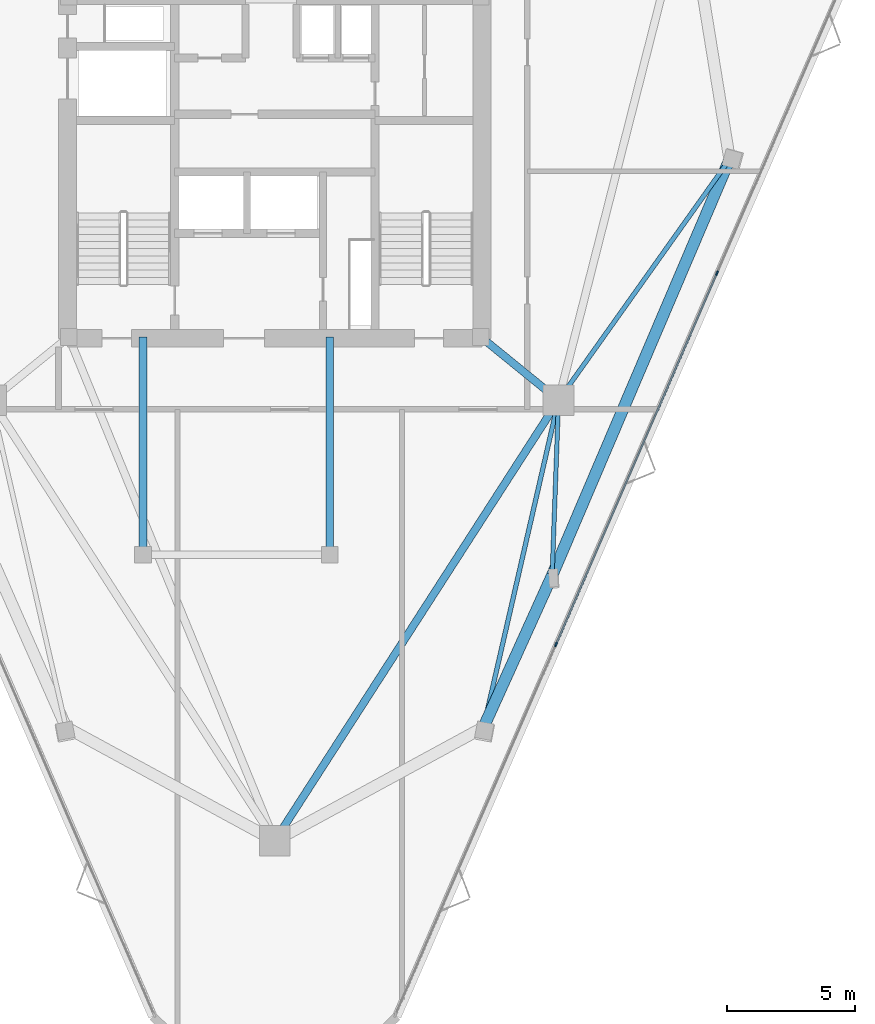
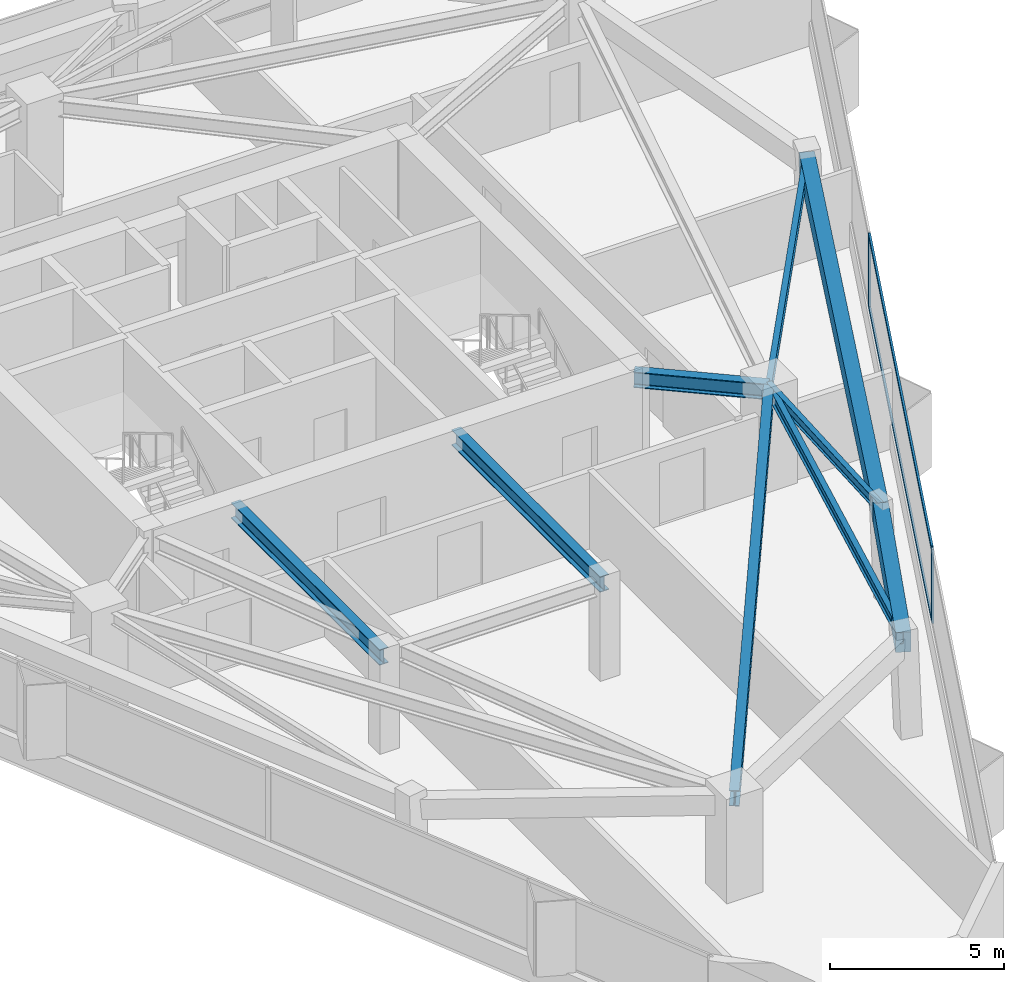
# One storey, part 4 of 11: 9 beams, 4 members, 1 element without a shape of its own.
"""IFC4 building model written with IfcOpenShell, lengths in metres."""

from ifc_helpers import new_model, si_unit, direction, frame, origin, origin_2d, place, context, subcontext, project, spatial, rectangle, i_section, extrude, material, layer, layer_set, material_profile, profile_set, type_object, element, aggregate, save


model = new_model("IFC4")

# Units and contexts
model_context = context("Model", 3, precision=1e-05, world=origin(), true_north=direction((0.0, 1.0)))
body_context = subcontext(model_context, "Body", "Model", "MODEL_VIEW")
ifc_project = project(units=[si_unit("LENGTHUNIT", "METRE"), si_unit("AREAUNIT", "SQUARE_METRE"), si_unit("VOLUMEUNIT", "CUBIC_METRE"), si_unit("PLANEANGLEUNIT", "RADIAN"), si_unit("MASSUNIT", "GRAM", prefix="KILO")], contexts=[model_context])

# Site, building, storey
site_placement = place(None, origin())
site = spatial("IfcSite", under=ifc_project, at=site_placement, CompositionType="ELEMENT")
building_placement = place(site_placement, origin())
building = spatial("IfcBuilding", under=site, at=building_placement, Name="Talyreon Biosciences Tower", CompositionType="ELEMENT")
storey_placement = place(building_placement, frame((0.0, 0.0, 242.550048828125)))
storey = spatial("IfcBuildingStorey", under=building, at=storey_placement, Name="L64", CompositionType="ELEMENT", Elevation=242.550048828125)

# Curtain wall, members
ifc_material_1 = material(Name="Thermally broken aluminium and low-E glazing", Category="aluminium")
ifc_layer = layer(ifc_material_1, 0.175048828125)
ifc_layer_set = layer_set([ifc_layer], Name="Thermally broken aluminium and low-E glazing")
curtain_wall_type = type_object("IfcCurtainWallType", Name="CurtainWall_Zone5CompLab", PredefinedType="NOTDEFINED", material=ifc_layer_set)
curtain_wall_placement = place(storey_placement, origin())
curtain_wall = element("IfcCurtainWall", 1, at=curtain_wall_placement, inside=storey, type_object=curtain_wall_type, Name="L64 Unitised Curtain Wall FCW-L64-08", PredefinedType="NOTDEFINED")
ifc_material_2 = material(Name="Anodised thermally broken aluminium", Category="aluminium")
ifc_material_profile_1 = material_profile(ifc_material_2, rectangle(XDim=0.06494140625, YDim=0.179931640625, at=origin_2d()), Name="ALUM MULLION 65x180")
ifc_profile_set_1 = profile_set([ifc_material_profile_1], Name="Anodised thermally broken aluminium")
member_type_1 = type_object("IfcMemberType", Name="CWMullion_65x180", PredefinedType="MULLION", material=ifc_profile_set_1)
member_1_placement = place(storey_placement, frame((83.27685546875, 63.8427734375, 0.81005859375), z_axis=(0.0, 0.0, 1.0), x_axis=(0.917458244079, -0.397832088162, 0.0)))
member_1 = element("IfcMember", 2, at=member_1_placement, type_object=member_type_1, Name="CW6 mullion 2", PredefinedType="MULLION", context=body_context, shape_type="SweptSolid", body=[
    extrude(rectangle(XDim=0.06494140625, YDim=0.179931640625, at=origin_2d()), origin(), (0.0, 0.0, 1.0), 2.58984375),
])
member_2_placement = place(storey_placement, frame((76.987060546875, 49.337646484375, 0.81005859375), z_axis=(0.0, 0.0, 1.0), x_axis=(0.917458244079, -0.397832088162, 0.0)))
member_2 = element("IfcMember", 3, at=member_2_placement, type_object=member_type_1, Name="CW6 mullion 3", PredefinedType="MULLION", context=body_context, shape_type="SweptSolid", body=[
    extrude(rectangle(XDim=0.06494140625, YDim=0.179931640625, at=origin_2d()), origin(), (0.0, 0.0, 1.0), 2.58984375),
])
ifc_material_profile_2 = material_profile(ifc_material_2, rectangle(XDim=0.06494140625, YDim=0.139892578125, at=origin_2d()), Name="ALUM TRANSOM 65x140")
ifc_profile_set_2 = profile_set([ifc_material_profile_2], Name="Anodised thermally broken aluminium")
member_type_2 = type_object("IfcMemberType", Name="CWTransom_65x140", PredefinedType="USERDEFINED", material=ifc_profile_set_2)
member_3_placement = place(storey_placement, frame((83.263916015625, 63.81298828125, 0.842529296875), z_axis=(-0.397830656241, -0.917458864993, 0.0), x_axis=(0.917458864993, -0.397830656241, 0.0)))
member_3 = element("IfcMember", 4, at=member_3_placement, type_object=member_type_2, Name="CW6 transom 2.1", ObjectType="TRANSOM", PredefinedType="USERDEFINED", context=body_context, shape_type="SweptSolid", body=[
    extrude(rectangle(XDim=0.06494140625, YDim=0.139892578125, at=origin_2d()), origin(), (0.0, 0.0, 1.0), 15.7451171875),
])
member_4_placement = place(storey_placement, frame((83.263916015625, 63.81298828125, 3.367431640625), z_axis=(-0.397830656241, -0.917458864993, 0.0), x_axis=(0.917458864993, -0.397830656241, 0.0)))
member_4 = element("IfcMember", 5, at=member_4_placement, type_object=member_type_2, Name="CW6 transom 2.2", ObjectType="TRANSOM", PredefinedType="USERDEFINED", context=body_context, shape_type="SweptSolid", body=[
    extrude(rectangle(XDim=0.06494140625, YDim=0.139892578125, at=origin_2d()), origin(), (0.0, 0.0, 1.0), 15.7451171875),
])
aggregate(curtain_wall, [member_1, member_2, member_3, member_4])

# Beams
ifc_material_3 = material(Name="Precast concrete C45/55", Category="concrete")
ifc_material_profile_3 = material_profile(ifc_material_3, rectangle(XDim=0.449951171875, YDim=0.699951171875, at=origin_2d()), Name="RCB 450x700")
ifc_profile_set_3 = profile_set([ifc_material_profile_3], Name="Precast concrete C45/55")
beam_type_1 = type_object("IfcBeamType", Name="ExpressedSpandrel_450x700", PredefinedType="SPANDREL", material=ifc_profile_set_3)
beam_1_placement = place(storey_placement, frame((74.154296875, 46.10009765625, 3.050048828125), z_axis=(0.411683160817, 0.911327040694, 0.0), x_axis=(-0.911327040694, 0.411683160817, 0.0)))
element("IfcBeam", 6, at=beam_1_placement, inside=storey, type_object=beam_type_1, Name="L64 Expressed Horizontal Concrete Spandrel 02", PredefinedType="SPANDREL", context=body_context, shape_type="SweptSolid", body=[
    extrude(rectangle(XDim=0.449951171875, YDim=0.699951171875, at=origin_2d()), origin(), (0.0, 0.0, 1.0), 6.511474609375),
])
beam_2_placement = place(storey_placement, frame((76.8349609375, 52.0341796875, 3.050048828125), z_axis=(0.392438217558, 0.919778367543, 0.0), x_axis=(-0.919778367543, 0.392438217558, 0.0)))
element("IfcBeam", 7, at=beam_2_placement, inside=storey, type_object=beam_type_1, Name="L64 Expressed Horizontal Concrete Spandrel 03", PredefinedType="SPANDREL", context=body_context, shape_type="SweptSolid", body=[
    extrude(rectangle(XDim=0.449951171875, YDim=0.699951171875, at=origin_2d()), origin(), (0.0, 0.0, 1.0), 17.67236328125),
])
ifc_material_4 = material(Name="Steel SM355", Category="steel")
ifc_material_profile_4 = material_profile(ifc_material_4, i_section(OverallWidth=0.300048828125, OverallDepth=0.550048828125, WebThickness=0.014892578125, FlangeThickness=0.029052734375, FilletRadius=0.027099609375, at=origin_2d()), Name="HE550B")
ifc_profile_set_4 = profile_set([ifc_material_profile_4], Name="Steel SM355")
beam_type_2 = type_object("IfcBeamType", Name="SteelBeam_HE550B", PredefinedType="BEAM", material=ifc_profile_set_4)
beam_3_placement = place(storey_placement, frame((66.0, 41.6669921875, 3.125), z_axis=(0.541463723609, 0.840724114092, 0.0), x_axis=(-0.840724114092, 0.541463723609, 0.0)))
element("IfcBeam", 8, at=beam_3_placement, inside=storey, type_object=beam_type_2, Name="L64 Mega-Ring Girder 1", PredefinedType="BEAM", context=body_context, shape_type="SweptSolid", body=[
    extrude(i_section(OverallWidth=0.300048828125, OverallDepth=0.550048828125, WebThickness=0.014892578125, FlangeThickness=0.029052734375, FilletRadius=0.027099609375, at=origin_2d()), origin(), (0.0, 0.0, 1.0), 20.474365234375),
])
beam_4_placement = place(storey_placement, frame((74.050048828125, 61.35009765625, 3.125), z_axis=(0.775755154013, -0.631034025249, 0.0), x_axis=(0.631034025249, 0.775755154013, 0.0)))
element("IfcBeam", 9, at=beam_4_placement, inside=storey, type_object=beam_type_2, Name="L64 Radial Primary Girder 2", PredefinedType="BEAM", context=body_context, shape_type="SweptSolid", body=[
    extrude(i_section(OverallWidth=0.300048828125, OverallDepth=0.550048828125, WebThickness=0.014892578125, FlangeThickness=0.029052734375, FilletRadius=0.027099609375, at=origin_2d()), origin(), (0.0, 0.0, 1.0), 3.913818359375),
])
for number, where, z_axis, x_axis, name in (
    (10, (60.85009765625, 52.840087890625, 3.125), (0.0, 1.0, 0.0), (-1.0, 0.0, 0.0), "L64 Crown Shaft Tie Girder W"),
    (11, (68.14990234375, 52.840087890625, 3.125), (0.0, 1.0, 0.0), (-1.0, 0.0, 0.0), "L64 Crown Shaft Tie Girder E"),
):
    element("IfcBeam", number, at=place(storey_placement, frame(where, z_axis=z_axis, x_axis=x_axis)), inside=storey, type_object=beam_type_2, Name=name, PredefinedType="BEAM", context=body_context, shape_type="SweptSolid", body=[
        extrude(i_section(OverallWidth=0.300048828125, OverallDepth=0.550048828125, WebThickness=0.014892578125, FlangeThickness=0.029052734375, FilletRadius=0.027099609375, at=origin_2d()), origin(), (0.0, 0.0, 1.0), 8.510009765625),
    ])
ifc_material_profile_5 = material_profile(ifc_material_4, i_section(OverallWidth=0.169921875, OverallDepth=0.360107421875, WebThickness=0.008056640625, FlangeThickness=0.0126953125, FilletRadius=0.01806640625, at=origin_2d()), Name="IPE360")
ifc_profile_set_5 = profile_set([ifc_material_profile_5], Name="Steel SM355")
beam_type_3 = type_object("IfcBeamType", Name="SteelJoist_IPE360", PredefinedType="JOIST", material=ifc_profile_set_5)
beam_5_placement = place(storey_placement, frame((77.086181640625, 58.88037109375, 3.219970703125), z_axis=(-0.03667027724, -0.999327419201, 0.0), x_axis=(0.999327419201, -0.03667027724, 0.0)))
element("IfcBeam", 12, at=beam_5_placement, inside=storey, type_object=beam_type_3, Name="L64 Radial Composite Floor Joist PL-SE", PredefinedType="JOIST", context=body_context, shape_type="SweptSolid", body=[
    extrude(i_section(OverallWidth=0.169921875, OverallDepth=0.360107421875, WebThickness=0.008056640625, FlangeThickness=0.0126953125, FilletRadius=0.01806640625, at=origin_2d()), origin(), (0.0, 0.0, 1.0), 6.850830078125),
])
ifc_material_profile_6 = material_profile(ifc_material_4, i_section(OverallWidth=0.179931640625, OverallDepth=0.39990234375, WebThickness=0.008544921875, FlangeThickness=0.013427734375, FilletRadius=0.02099609375, at=origin_2d()), Name="IPE400")
ifc_profile_set_6 = profile_set([ifc_material_profile_6], Name="Steel SM355")
beam_type_4 = type_object("IfcBeamType", Name="SteelJoist_IPE400", PredefinedType="JOIST", material=ifc_profile_set_6)
beam_6_placement = place(storey_placement, frame((77.086181640625, 58.88037109375, 3.199951171875), z_axis=(-0.223598752454, -0.974681280163, 0.0), x_axis=(0.974681280163, -0.223598752454, 0.0)))
element("IfcBeam", 13, at=beam_6_placement, inside=storey, type_object=beam_type_4, Name="L64 Radial Composite Floor Joist PC-SE1", PredefinedType="JOIST", context=body_context, shape_type="SweptSolid", body=[
    extrude(i_section(OverallWidth=0.179931640625, OverallDepth=0.39990234375, WebThickness=0.008544921875, FlangeThickness=0.013427734375, FilletRadius=0.02099609375, at=origin_2d()), origin(), (0.0, 0.0, 1.0), 13.1123046875),
])
beam_7_placement = place(storey_placement, frame((77.086181640625, 58.88037109375, 3.199951171875), z_axis=(0.579157190661, 0.815215890734, 0.0), x_axis=(-0.815215890734, 0.579157190661, 0.0)))
element("IfcBeam", 14, at=beam_7_placement, inside=storey, type_object=beam_type_4, Name="L64 Radial Composite Floor Joist PC-SE2", PredefinedType="JOIST", context=body_context, shape_type="SweptSolid", body=[
    extrude(i_section(OverallWidth=0.179931640625, OverallDepth=0.39990234375, WebThickness=0.008544921875, FlangeThickness=0.013427734375, FilletRadius=0.02099609375, at=origin_2d()), origin(), (0.0, 0.0, 1.0), 11.541015625),
])

save(model, "model.ifc")
